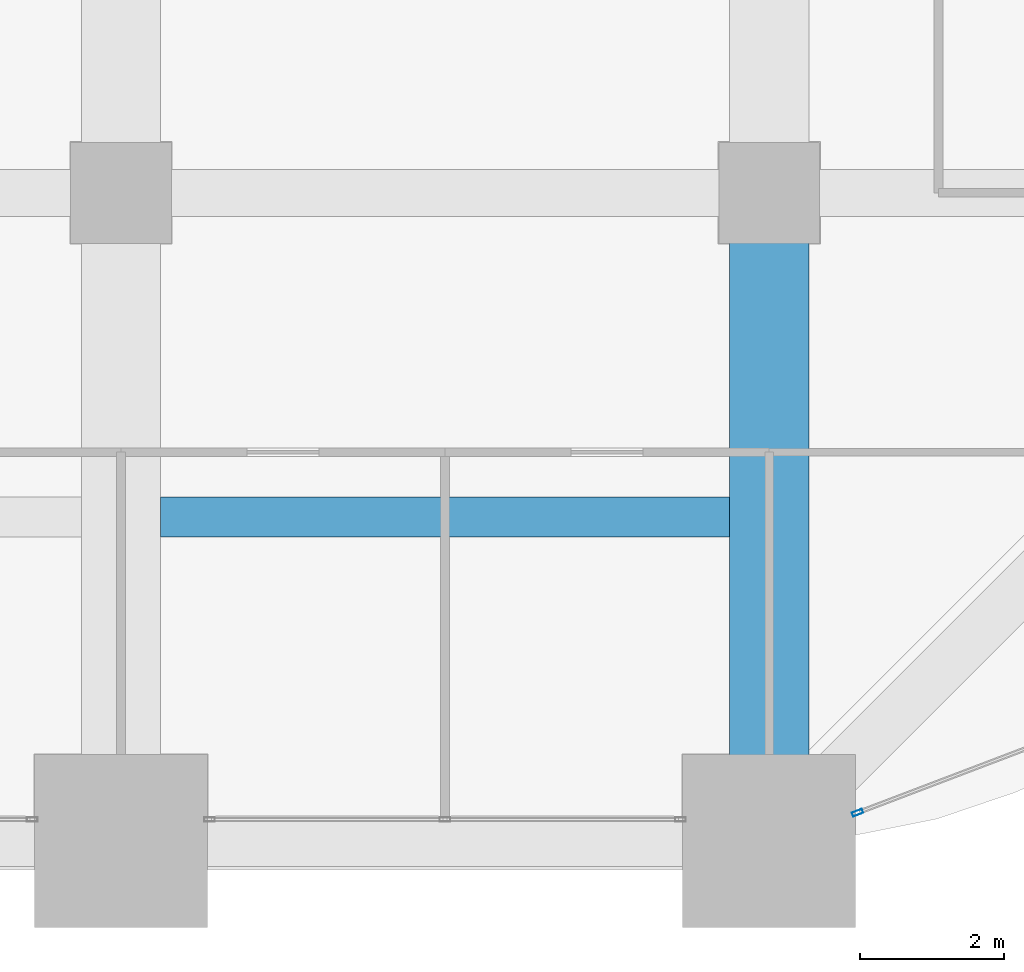
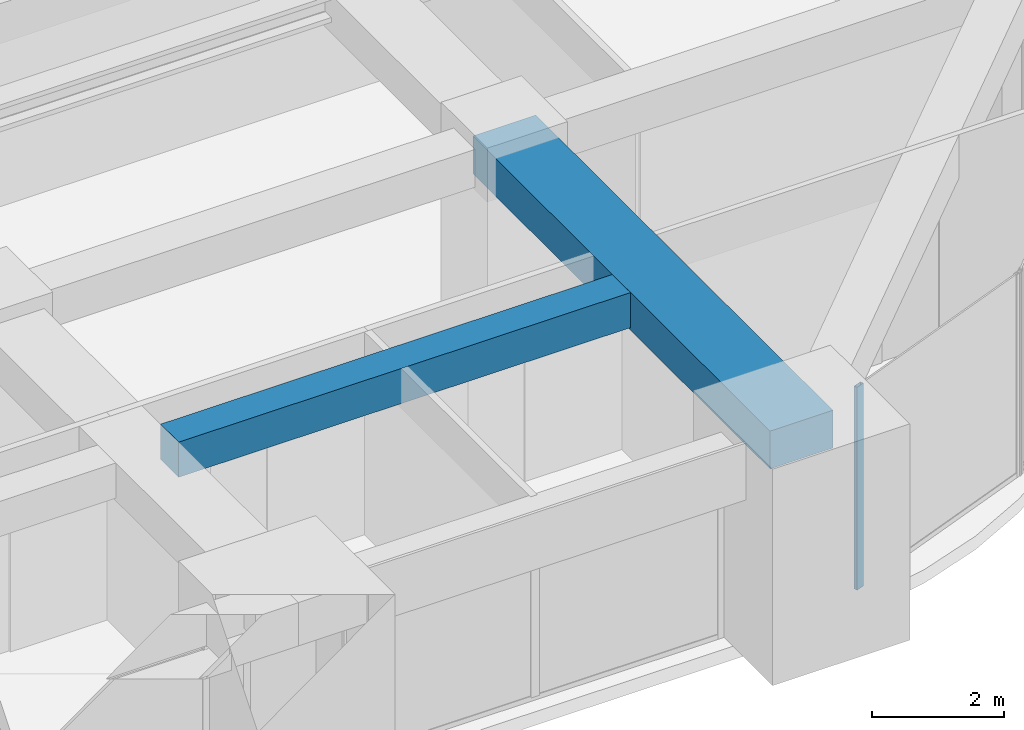
# One storey, part 14 of 33: 2 beams, 1 member, 1 element without a shape of its own.
"""IFC4 building model written with IfcOpenShell, lengths in metres."""

import ifcopenshell
import ifcopenshell.guid

model = None  # the IFC model being written
_history = None  # IfcOwnerHistory: only IFC2X3 demands one
_inside = {}  # id of a spatial element -> (the spatial element, [elements in it])
_under = {}  # id of a project, library or spatial element -> (it, [spatial elements below it])
_declared = {}  # id of a project -> (the project, [libraries it declares])
_typed = {}  # id of a type object -> (the type object, [elements of that type])
_made_of = {}  # id of a material, layer set ... -> (it, [elements and type objects made of it])


def new_model(schema):
    """Start an empty IFC model of exactly this schema.

    Asked for "IFC4X3", IfcOpenShell would pick the latest addendum, in which some entities
    have other attributes; the version numbers below select the first issue.
    IFC2X3 requires an IfcOwnerHistory on every rooted entity: one is made here for all.
    """
    global model, _history
    if schema == "IFC4X3":
        model = ifcopenshell.file(schema_version=(4, 3, 0, 0))
    else:
        model = ifcopenshell.file(schema=schema)
    _inside.clear()
    _under.clear()
    _declared.clear()
    _typed.clear()
    _made_of.clear()
    _history = None
    if model.schema == "IFC2X3":
        org = make("IfcOrganization", Name="unknown")
        user = make(
            "IfcPersonAndOrganization",
            ThePerson=make("IfcPerson", FamilyName="unknown"),
            TheOrganization=org,
        )
        app = make(
            "IfcApplication",
            ApplicationDeveloper=org,
            Version="unknown",
            ApplicationFullName="unknown",
            ApplicationIdentifier="unknown",
        )
        _history = make(
            "IfcOwnerHistory",
            OwningUser=user,
            OwningApplication=app,
            ChangeAction="ADDED",
            CreationDate=0,
        )
    return model


def make(cls, **values):
    """One entity of the class cls with the attributes given. An attribute that is None is left unset."""
    return model.create_entity(
        cls, **{name: value for name, value in values.items() if value is not None}
    )


def rooted(cls, **values):
    """An entity with a GlobalId (a new one), such as an element, a storey or a relation."""
    return make(cls, GlobalId=ifcopenshell.guid.new(), OwnerHistory=_history, **values)


def si_unit(unit_type, name, prefix=None):
    """IfcSIUnit, for example si_unit("LENGTHUNIT", "METRE", prefix="MILLI")."""
    return make("IfcSIUnit", UnitType=unit_type, Prefix=prefix, Name=name)


def assignment(units):
    """IfcUnitAssignment: the units of a project."""
    return None if units is None else make("IfcUnitAssignment", Units=units)


def point(xyz):
    """IfcCartesianPoint."""
    return None if xyz is None else make("IfcCartesianPoint", Coordinates=xyz)


def direction(xyz):
    """IfcDirection."""
    return None if xyz is None else make("IfcDirection", DirectionRatios=xyz)


def frame(location, z_axis=None, x_axis=None):
    """IfcAxis2Placement3D, a coordinate frame: its origin and axes. An axis left out is left unset."""
    return make(
        "IfcAxis2Placement3D",
        Location=point(location),
        Axis=direction(z_axis),
        RefDirection=direction(x_axis),
    )


def frame_2d(location, x_axis=None):
    """IfcAxis2Placement2D, a coordinate frame in the plane: its origin and x axis."""
    return make(
        "IfcAxis2Placement2D", Location=point(location), RefDirection=direction(x_axis)
    )


def origin():
    """The frame at (0, 0, 0) with its axes left unset."""
    return frame((0.0, 0.0, 0.0))


def origin_2d():
    """The frame at (0, 0) in the plane with its x axis left unset."""
    return frame_2d((0.0, 0.0))


def place(relative_to, where):
    """IfcLocalPlacement: puts the frame where relative to a parent placement (None: the world)."""
    return make(
        "IfcLocalPlacement", PlacementRelTo=relative_to, RelativePlacement=where
    )


def context(
    kind, dimensions, precision=None, world=None, true_north=None, identifier=None
):
    """IfcGeometricRepresentationContext, for example the 3D "Model" context."""
    return make(
        "IfcGeometricRepresentationContext",
        ContextIdentifier=identifier,
        ContextType=kind,
        CoordinateSpaceDimension=dimensions,
        Precision=precision,
        WorldCoordinateSystem=world,
        TrueNorth=true_north,
    )


def subcontext(parent, identifier, kind, view, scale=None):
    """IfcGeometricRepresentationSubContext, for example "Body" below "Model"."""
    return make(
        "IfcGeometricRepresentationSubContext",
        ContextIdentifier=identifier,
        ContextType=kind,
        ParentContext=parent,
        TargetScale=scale,
        TargetView=view,
    )


def project(units=None, contexts=None):
    """IfcProject with its units and contexts."""
    return rooted(
        "IfcProject",
        Name="project",
        RepresentationContexts=contexts,
        UnitsInContext=assignment(units),
    )


def spatial(cls, under=None, at=None, **own):
    """A site, building, storey or space (cls), placed at a placement, below another one or the project."""
    s = rooted(cls, ObjectPlacement=at, **own)
    if under is not None:
        _under.setdefault(under.id(), (under, []))[1].append(s)
    return s


def profile(cls, at=None, kind="AREA", **sizes):
    """A parametric profile (cls). Its sizes go by their IFC names, for example OverallWidth=200.0."""
    return make(cls, ProfileType=kind, Position=at, **sizes)


def rectangle(**sizes):
    """IfcRectangleProfileDef."""
    return profile("IfcRectangleProfileDef", **sizes)


def hollow_rectangle(**sizes):
    """IfcRectangleHollowProfileDef."""
    return profile("IfcRectangleHollowProfileDef", **sizes)


def extrude(swept, where, along, depth):
    """IfcExtrudedAreaSolid: the profile swept, set in the frame where, extruded along a direction by depth."""
    return make(
        "IfcExtrudedAreaSolid",
        SweptArea=swept,
        Position=where,
        ExtrudedDirection=direction(along),
        Depth=depth,
    )


def shape(context_of_items, identifier, shape_type, items):
    """IfcShapeRepresentation: the items that make up one representation, for example the "Body"."""
    return make(
        "IfcShapeRepresentation",
        ContextOfItems=context_of_items,
        RepresentationIdentifier=identifier,
        RepresentationType=shape_type,
        Items=items,
    )


def material(Name=None, Category=None):
    """IfcMaterial."""
    return make("IfcMaterial", Name=Name, Category=Category)


def material_profile(
    of_material, cross_section, Name=None, Category=None, Priority=None
):
    """IfcMaterialProfile: a cross section and its material."""
    return make(
        "IfcMaterialProfile",
        Name=Name,
        Material=of_material,
        Profile=cross_section,
        Priority=Priority,
        Category=Category,
    )


def profile_set(profiles, Name=None, composite=None):
    """IfcMaterialProfileSet."""
    return make(
        "IfcMaterialProfileSet",
        Name=Name,
        MaterialProfiles=profiles,
        CompositeProfile=composite,
    )


def made_of(thing, what):
    """Note that an element or type object is made of a material, layer set ...; save() writes the relation."""
    if what is not None:
        _made_of.setdefault(what.id(), (what, []))[1].append(thing)
    return thing


def type_object(cls, material=None, **own):
    """A type object (cls), such as IfcWallType, which elements share."""
    return made_of(rooted(cls, **own), material)


def element(
    cls,
    number,
    at=None,
    inside=None,
    cuts=None,
    type_object=None,
    material=None,
    context=None,
    identifier="Body",
    shape_type=None,
    held_by="IfcProductDefinitionShape",
    body=None,
    shapes=None,
    **own,
):
    """One element of the class cls, such as IfcWall. Its Tag is "e" and its number.

    at: its placement. inside: the storey or other place that contains it. cuts: it is an
    opening in that element (IfcRelVoidsElement). A single representation is given by context,
    identifier, shape_type and body (its items); several are given by shapes. held_by: the class
    of the entity that holds the representations. save() writes the other relations.
    """
    e = rooted(cls, Tag="e%d" % number, ObjectPlacement=at, **own)
    if body is not None:
        shapes = [shape(context, identifier, shape_type, body)]
    if shapes is not None:
        e.Representation = make(held_by, Representations=shapes)
    if inside is not None:
        _inside.setdefault(inside.id(), (inside, []))[1].append(e)
    if cuts is not None:
        rooted(
            "IfcRelVoidsElement", RelatingBuildingElement=cuts, RelatedOpeningElement=e
        )
    if type_object is not None:
        _typed.setdefault(type_object.id(), (type_object, []))[1].append(e)
    return made_of(e, material)


def aggregate(whole, parts):
    """IfcRelAggregates: a whole, such as a stair, and the parts it consists of."""
    return rooted("IfcRelAggregates", RelatingObject=whole, RelatedObjects=parts)


def save(model, path):
    """Write the relations noted so far, then the file.

    IfcRelAggregates (storeys below a building ...), IfcRelContainedInSpatialStructure (elements
    in a storey), IfcRelDefinesByType, IfcRelAssociatesMaterial and IfcRelDeclares: one each for
    every whole, place, type object, material and project.
    """
    for whole, parts in _under.values():
        aggregate(whole, parts)
    for where, things in _inside.values():
        rooted(
            "IfcRelContainedInSpatialStructure",
            RelatedElements=things,
            RelatingStructure=where,
        )
    for kind, things in _typed.values():
        rooted("IfcRelDefinesByType", RelatedObjects=things, RelatingType=kind)
    for what, things in _made_of.values():
        rooted("IfcRelAssociatesMaterial", RelatedObjects=things, RelatingMaterial=what)
    for by, libraries in _declared.values():
        rooted("IfcRelDeclares", RelatingContext=by, RelatedDefinitions=libraries)
    model.write(path)


model = new_model("IFC4")

# Units and contexts
model_context = context("Model", 3, precision=1e-05, world=origin(), true_north=direction((0.0, 1.0)))
body_context = subcontext(model_context, "Body", "Model", "MODEL_VIEW")
ifc_project = project(units=[si_unit("LENGTHUNIT", "METRE"), si_unit("AREAUNIT", "SQUARE_METRE"), si_unit("VOLUMEUNIT", "CUBIC_METRE"), si_unit("PLANEANGLEUNIT", "RADIAN"), si_unit("MASSUNIT", "GRAM", prefix="KILO")], contexts=[model_context])

# Site, building, storey
site_placement = place(None, origin())
site = spatial("IfcSite", under=ifc_project, at=site_placement, CompositionType="ELEMENT")
building_placement = place(site_placement, origin())
building = spatial("IfcBuilding", under=site, at=building_placement, Name="Zorevar Civic Tower", CompositionType="ELEMENT")
storey_placement = place(building_placement, frame((0.0, 0.0, 206.199951171875)))
storey = spatial("IfcBuildingStorey", under=building, at=storey_placement, Name="L50", CompositionType="ELEMENT", Elevation=206.199951171875)

# Beams
ifc_material_1 = material(Name="Concrete C50/60", Category="concrete")
ifc_material_profile_1 = material_profile(ifc_material_1, rectangle(XDim=1.10009765625, YDim=0.699951171875, at=origin_2d()), Name="RC 1100x700")
ifc_profile_set_1 = profile_set([ifc_material_profile_1], Name="Concrete C50/60")
beam_type_1 = type_object("IfcBeamType", Name="Beam RC 1100x700", PredefinedType="BEAM", material=ifc_profile_set_1)
beam_1_placement = place(storey_placement, frame((45.0, 0.0, 3.400146484375), z_axis=(0.0, 1.0, 0.0), x_axis=(-1.0, 0.0, 0.0)))
element("IfcBeam", 1, at=beam_1_placement, inside=storey, type_object=beam_type_1, Name="Girder L51", PredefinedType="BEAM", context=body_context, shape_type="SweptSolid", body=[
    extrude(rectangle(XDim=1.10009765625, YDim=0.699951171875, at=origin_2d()), origin(), (0.0, 0.0, 1.0), 9.0),
])
ifc_material_2 = material(Name="Concrete C50/60", Category="concrete")
ifc_material_profile_2 = material_profile(ifc_material_2, rectangle(XDim=0.550048828125, YDim=0.64990234375, at=origin_2d()), Name="RC 550x650")
ifc_profile_set_2 = profile_set([ifc_material_profile_2], Name="Concrete C50/60")
beam_type_2 = type_object("IfcBeamType", Name="Beam RC 550x650", PredefinedType="BEAM", material=ifc_profile_set_2)
beam_2_placement = place(storey_placement, frame((36.550048828125, 4.5, 3.425048828125), z_axis=(1.0, 0.0, 0.0), x_axis=(0.0, 1.0, 0.0)))
element("IfcBeam", 2, at=beam_2_placement, inside=storey, type_object=beam_type_2, Name="Secondary beam L51", PredefinedType="BEAM", context=body_context, shape_type="SweptSolid", body=[
    extrude(rectangle(XDim=0.550048828125, YDim=0.64990234375, at=origin_2d()), origin(), (0.0, 0.0, 1.0), 7.89990234375),
])

# Curtain wall, member
ifc_material_3 = material(Name="Dark grey solar-control glass in black aluminium frame", Category="aluminium")
curtain_wall_type = type_object("IfcCurtainWallType", Name="Curtain wall CW4 high zone", PredefinedType="NOTDEFINED", material=ifc_material_3)
curtain_wall_placement = place(storey_placement, origin())
curtain_wall = element("IfcCurtainWall", 3, at=curtain_wall_placement, inside=storey, type_object=curtain_wall_type, Name="CW4 L50", PredefinedType="NOTDEFINED")
ifc_material_4 = material(Name="Aluminium, black anodised", Category="aluminium")
ifc_material_profile_3 = material_profile(ifc_material_4, hollow_rectangle(XDim=0.06005859375, YDim=0.14990234375, WallThickness=0.00390625, at=origin_2d()), Name="AL 150x60x4")
ifc_profile_set_3 = profile_set([ifc_material_profile_3], Name="Aluminium, black anodised")
member_type = type_object("IfcMemberType", Name="CW4 mullion AL 150x60x4", PredefinedType="MULLION", material=ifc_profile_set_3)
member_placement = place(storey_placement, frame((46.22802734375, 0.393798828125, 0.0), z_axis=(0.0, 0.0, 1.0), x_axis=(-0.355730895803, 0.93458842801, 0.0)))
member = element("IfcMember", 4, at=member_placement, type_object=member_type, Name="CW4 mullion 1", PredefinedType="MULLION", context=body_context, shape_type="SweptSolid", body=[
    extrude(hollow_rectangle(XDim=0.06005859375, YDim=0.14990234375, WallThickness=0.00390625, at=origin_2d()), origin(), (0.0, 0.0, 1.0), 3.75),
])
aggregate(curtain_wall, [member])

save(model, "model.ifc")
